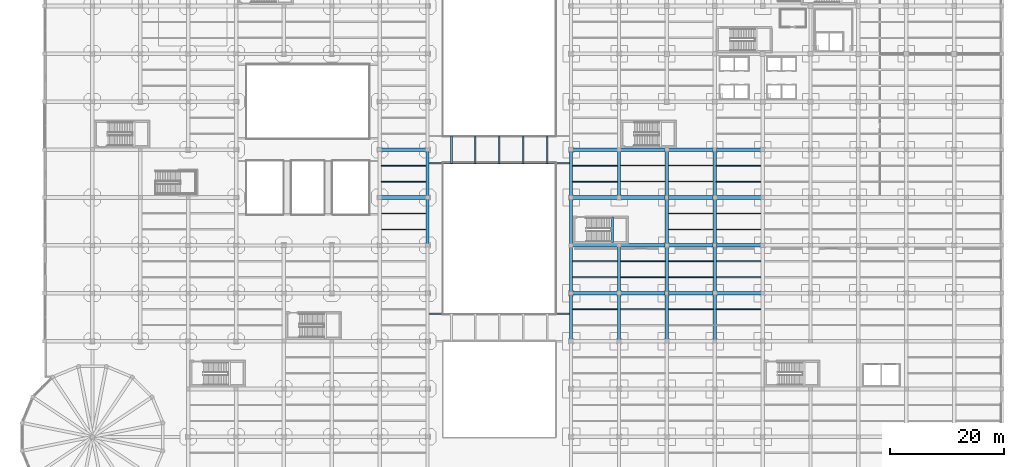
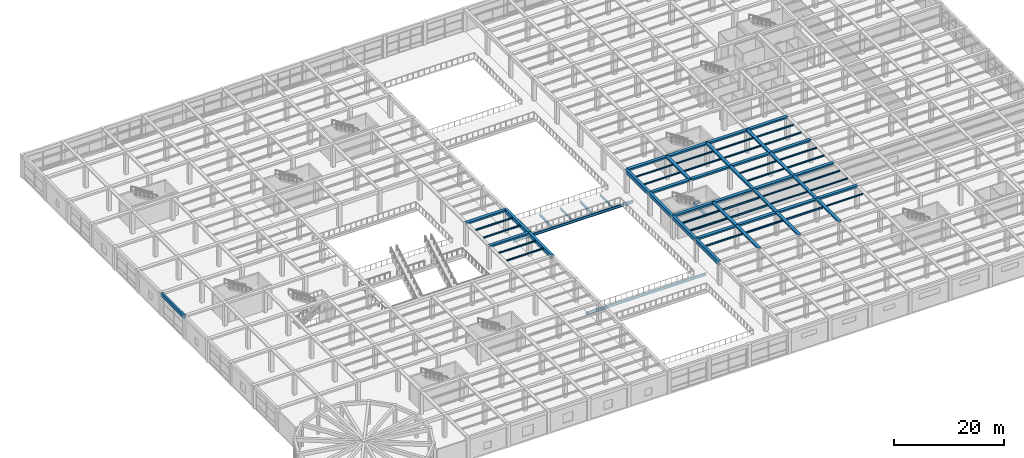
# One storey, part 28 of 95: 72 beams.
"""IFC4 building model written with IfcOpenShell, lengths in metres."""

import ifcopenshell
import ifcopenshell.guid

model = None  # the IFC model being written
_history = None  # IfcOwnerHistory: only IFC2X3 demands one
_inside = {}  # id of a spatial element -> (the spatial element, [elements in it])
_under = {}  # id of a project, library or spatial element -> (it, [spatial elements below it])
_declared = {}  # id of a project -> (the project, [libraries it declares])
_typed = {}  # id of a type object -> (the type object, [elements of that type])
_made_of = {}  # id of a material, layer set ... -> (it, [elements and type objects made of it])


def new_model(schema):
    """Start an empty IFC model of exactly this schema.

    Asked for "IFC4X3", IfcOpenShell would pick the latest addendum, in which some entities
    have other attributes; the version numbers below select the first issue.
    IFC2X3 requires an IfcOwnerHistory on every rooted entity: one is made here for all.
    """
    global model, _history
    if schema == "IFC4X3":
        model = ifcopenshell.file(schema_version=(4, 3, 0, 0))
    else:
        model = ifcopenshell.file(schema=schema)
    _inside.clear()
    _under.clear()
    _declared.clear()
    _typed.clear()
    _made_of.clear()
    _history = None
    if model.schema == "IFC2X3":
        org = make("IfcOrganization", Name="unknown")
        user = make(
            "IfcPersonAndOrganization",
            ThePerson=make("IfcPerson", FamilyName="unknown"),
            TheOrganization=org,
        )
        app = make(
            "IfcApplication",
            ApplicationDeveloper=org,
            Version="unknown",
            ApplicationFullName="unknown",
            ApplicationIdentifier="unknown",
        )
        _history = make(
            "IfcOwnerHistory",
            OwningUser=user,
            OwningApplication=app,
            ChangeAction="ADDED",
            CreationDate=0,
        )
    return model


def make(cls, **values):
    """One entity of the class cls with the attributes given. An attribute that is None is left unset."""
    return model.create_entity(
        cls, **{name: value for name, value in values.items() if value is not None}
    )


def rooted(cls, **values):
    """An entity with a GlobalId (a new one), such as an element, a storey or a relation."""
    return make(cls, GlobalId=ifcopenshell.guid.new(), OwnerHistory=_history, **values)


def si_unit(unit_type, name, prefix=None):
    """IfcSIUnit, for example si_unit("LENGTHUNIT", "METRE", prefix="MILLI")."""
    return make("IfcSIUnit", UnitType=unit_type, Prefix=prefix, Name=name)


def assignment(units):
    """IfcUnitAssignment: the units of a project."""
    return None if units is None else make("IfcUnitAssignment", Units=units)


def point(xyz):
    """IfcCartesianPoint."""
    return None if xyz is None else make("IfcCartesianPoint", Coordinates=xyz)


def direction(xyz):
    """IfcDirection."""
    return None if xyz is None else make("IfcDirection", DirectionRatios=xyz)


def frame(location, z_axis=None, x_axis=None):
    """IfcAxis2Placement3D, a coordinate frame: its origin and axes. An axis left out is left unset."""
    return make(
        "IfcAxis2Placement3D",
        Location=point(location),
        Axis=direction(z_axis),
        RefDirection=direction(x_axis),
    )


def frame_2d(location, x_axis=None):
    """IfcAxis2Placement2D, a coordinate frame in the plane: its origin and x axis."""
    return make(
        "IfcAxis2Placement2D", Location=point(location), RefDirection=direction(x_axis)
    )


def origin():
    """The frame at (0, 0, 0) with its axes left unset."""
    return frame((0.0, 0.0, 0.0))


def origin_2d():
    """The frame at (0, 0) in the plane with its x axis left unset."""
    return frame_2d((0.0, 0.0))


def place(relative_to, where):
    """IfcLocalPlacement: puts the frame where relative to a parent placement (None: the world)."""
    return make(
        "IfcLocalPlacement", PlacementRelTo=relative_to, RelativePlacement=where
    )


def context(
    kind, dimensions, precision=None, world=None, true_north=None, identifier=None
):
    """IfcGeometricRepresentationContext, for example the 3D "Model" context."""
    return make(
        "IfcGeometricRepresentationContext",
        ContextIdentifier=identifier,
        ContextType=kind,
        CoordinateSpaceDimension=dimensions,
        Precision=precision,
        WorldCoordinateSystem=world,
        TrueNorth=true_north,
    )


def subcontext(parent, identifier, kind, view, scale=None):
    """IfcGeometricRepresentationSubContext, for example "Body" below "Model"."""
    return make(
        "IfcGeometricRepresentationSubContext",
        ContextIdentifier=identifier,
        ContextType=kind,
        ParentContext=parent,
        TargetScale=scale,
        TargetView=view,
    )


def project(units=None, contexts=None):
    """IfcProject with its units and contexts."""
    return rooted(
        "IfcProject",
        Name="project",
        RepresentationContexts=contexts,
        UnitsInContext=assignment(units),
    )


def spatial(cls, under=None, at=None, **own):
    """A site, building, storey or space (cls), placed at a placement, below another one or the project."""
    s = rooted(cls, ObjectPlacement=at, **own)
    if under is not None:
        _under.setdefault(under.id(), (under, []))[1].append(s)
    return s


def profile(cls, at=None, kind="AREA", **sizes):
    """A parametric profile (cls). Its sizes go by their IFC names, for example OverallWidth=200.0."""
    return make(cls, ProfileType=kind, Position=at, **sizes)


def rectangle(**sizes):
    """IfcRectangleProfileDef."""
    return profile("IfcRectangleProfileDef", **sizes)


def i_section(**sizes):
    """IfcIShapeProfileDef."""
    return profile("IfcIShapeProfileDef", **sizes)


def extrude(swept, where, along, depth):
    """IfcExtrudedAreaSolid: the profile swept, set in the frame where, extruded along a direction by depth."""
    return make(
        "IfcExtrudedAreaSolid",
        SweptArea=swept,
        Position=where,
        ExtrudedDirection=direction(along),
        Depth=depth,
    )


def shape(context_of_items, identifier, shape_type, items):
    """IfcShapeRepresentation: the items that make up one representation, for example the "Body"."""
    return make(
        "IfcShapeRepresentation",
        ContextOfItems=context_of_items,
        RepresentationIdentifier=identifier,
        RepresentationType=shape_type,
        Items=items,
    )


def material(Name=None, Category=None):
    """IfcMaterial."""
    return make("IfcMaterial", Name=Name, Category=Category)


def material_profile(
    of_material, cross_section, Name=None, Category=None, Priority=None
):
    """IfcMaterialProfile: a cross section and its material."""
    return make(
        "IfcMaterialProfile",
        Name=Name,
        Material=of_material,
        Profile=cross_section,
        Priority=Priority,
        Category=Category,
    )


def profile_set(profiles, Name=None, composite=None):
    """IfcMaterialProfileSet."""
    return make(
        "IfcMaterialProfileSet",
        Name=Name,
        MaterialProfiles=profiles,
        CompositeProfile=composite,
    )


def made_of(thing, what):
    """Note that an element or type object is made of a material, layer set ...; save() writes the relation."""
    if what is not None:
        _made_of.setdefault(what.id(), (what, []))[1].append(thing)
    return thing


def type_object(cls, material=None, **own):
    """A type object (cls), such as IfcWallType, which elements share."""
    return made_of(rooted(cls, **own), material)


def element(
    cls,
    number,
    at=None,
    inside=None,
    cuts=None,
    type_object=None,
    material=None,
    context=None,
    identifier="Body",
    shape_type=None,
    held_by="IfcProductDefinitionShape",
    body=None,
    shapes=None,
    **own,
):
    """One element of the class cls, such as IfcWall. Its Tag is "e" and its number.

    at: its placement. inside: the storey or other place that contains it. cuts: it is an
    opening in that element (IfcRelVoidsElement). A single representation is given by context,
    identifier, shape_type and body (its items); several are given by shapes. held_by: the class
    of the entity that holds the representations. save() writes the other relations.
    """
    e = rooted(cls, Tag="e%d" % number, ObjectPlacement=at, **own)
    if body is not None:
        shapes = [shape(context, identifier, shape_type, body)]
    if shapes is not None:
        e.Representation = make(held_by, Representations=shapes)
    if inside is not None:
        _inside.setdefault(inside.id(), (inside, []))[1].append(e)
    if cuts is not None:
        rooted(
            "IfcRelVoidsElement", RelatingBuildingElement=cuts, RelatedOpeningElement=e
        )
    if type_object is not None:
        _typed.setdefault(type_object.id(), (type_object, []))[1].append(e)
    return made_of(e, material)


def aggregate(whole, parts):
    """IfcRelAggregates: a whole, such as a stair, and the parts it consists of."""
    return rooted("IfcRelAggregates", RelatingObject=whole, RelatedObjects=parts)


def save(model, path):
    """Write the relations noted so far, then the file.

    IfcRelAggregates (storeys below a building ...), IfcRelContainedInSpatialStructure (elements
    in a storey), IfcRelDefinesByType, IfcRelAssociatesMaterial and IfcRelDeclares: one each for
    every whole, place, type object, material and project.
    """
    for whole, parts in _under.values():
        aggregate(whole, parts)
    for where, things in _inside.values():
        rooted(
            "IfcRelContainedInSpatialStructure",
            RelatedElements=things,
            RelatingStructure=where,
        )
    for kind, things in _typed.values():
        rooted("IfcRelDefinesByType", RelatedObjects=things, RelatingType=kind)
    for what, things in _made_of.values():
        rooted("IfcRelAssociatesMaterial", RelatedObjects=things, RelatingMaterial=what)
    for by, libraries in _declared.values():
        rooted("IfcRelDeclares", RelatingContext=by, RelatedDefinitions=libraries)
    model.write(path)


model = new_model("IFC4")

# Units and contexts
model_context = context("Model", 3, precision=1e-05, world=origin(), true_north=direction((0.0, 1.0)))
body_context = subcontext(model_context, "Body", "Model", "MODEL_VIEW")
ifc_project = project(units=[si_unit("LENGTHUNIT", "METRE"), si_unit("AREAUNIT", "SQUARE_METRE"), si_unit("VOLUMEUNIT", "CUBIC_METRE"), si_unit("PLANEANGLEUNIT", "RADIAN"), si_unit("MASSUNIT", "GRAM", prefix="KILO")], contexts=[model_context])

# Site, building, storey
site_placement = place(None, origin())
site = spatial("IfcSite", under=ifc_project, at=site_placement, CompositionType="ELEMENT")
building_placement = place(site_placement, origin())
building = spatial("IfcBuilding", under=site, at=building_placement, Name="Almacenes y Pasaje Nevantli", CompositionType="ELEMENT")
storey_placement = place(building_placement, frame((0.0, 0.0, 11.39990234375)))
storey = spatial("IfcBuildingStorey", under=building, at=storey_placement, Name="L03", CompositionType="ELEMENT", Elevation=11.39990234375)

# Beams
ifc_material_1 = material(Name="Concrete C35/45", Category="concrete")
ifc_material_profile_1 = material_profile(ifc_material_1, rectangle(XDim=0.39990234375, YDim=0.60009765625, at=origin_2d()), Name="RC-BM-400x600")
ifc_profile_set_1 = profile_set([ifc_material_profile_1], Name="Concrete C35/45")
beam_type_1 = type_object("IfcBeamType", Name="BM-RC-400x600", PredefinedType="SPANDREL", material=ifc_profile_set_1)
beam_1_placement = place(storey_placement, frame((99.64990234375, 42.5, 2.2001953125), z_axis=(0.0, 1.0, 0.0), x_axis=(-1.0, 0.0, 0.0)))
element("IfcBeam", 1, at=beam_1_placement, inside=storey, type_object=beam_type_1, Name="L03 Stair ST-08 Half-Landing Support Beam", PredefinedType="SPANDREL", context=body_context, shape_type="SweptSolid", body=[
    extrude(rectangle(XDim=0.39990234375, YDim=0.60009765625, at=origin_2d()), origin(), (0.0, 0.0, 1.0), 4.449951171875),
])
ifc_material_2 = material(Name="Concrete C35/45", Category="concrete")
ifc_material_profile_2 = material_profile(ifc_material_2, rectangle(XDim=0.449951171875, YDim=0.699951171875, at=origin_2d()), Name="RC-BM-450x700")
ifc_profile_set_2 = profile_set([ifc_material_profile_2], Name="Concrete C35/45")
beam_type_2 = type_object("IfcBeamType", Name="BM-RC-450x700", PredefinedType="SPANDREL", material=ifc_profile_set_2)
beam_2_placement = place(storey_placement, frame((0.0, 58.800048828125, 4.75), z_axis=(0.0, 1.0, 0.0), x_axis=(-1.0, 0.0, 0.0)))
element("IfcBeam", 2, at=beam_2_placement, inside=storey, type_object=beam_type_2, Name="L03 North-South Reinforced Concrete Beam #2484", PredefinedType="SPANDREL", context=body_context, shape_type="SweptSolid", body=[
    extrude(rectangle(XDim=0.449951171875, YDim=0.699951171875, at=origin_2d()), origin(), (0.0, 0.0, 1.0), 8.39990234375),
])
ifc_material_3 = material(Name="Concrete C35/45", Category="concrete")
ifc_material_profile_3 = material_profile(ifc_material_3, rectangle(XDim=0.550048828125, YDim=0.800048828125, at=origin_2d()), Name="RC-BM-550x800")
ifc_profile_set_3 = profile_set([ifc_material_profile_3], Name="Concrete C35/45")
beam_type_3 = type_object("IfcBeamType", Name="BM-RC-550x800", PredefinedType="BEAM", material=ifc_profile_set_3)
beam_3_placement = place(storey_placement, frame((67.199951171875, 42.0, 4.7001953125), z_axis=(0.0, 1.0, 0.0), x_axis=(-1.0, 0.0, 0.0)))
element("IfcBeam", 3, at=beam_3_placement, inside=storey, type_object=beam_type_3, Name="L03 North-South Reinforced Concrete Beam #2573", PredefinedType="BEAM", context=body_context, shape_type="SweptSolid", body=[
    extrude(rectangle(XDim=0.550048828125, YDim=0.800048828125, at=origin_2d()), origin(), (0.0, 0.0, 1.0), 8.39990234375),
])
for number, where, z_axis, x_axis, name in (
    (4, (67.199951171875, 50.39990234375, 4.7001953125), (0.0, 1.0, 0.0), (-1.0, 0.0, 0.0), "L03 North-South Reinforced Concrete Beam #2574"),
    (5, (92.39990234375, 25.199951171875, 4.7001953125), (0.0, 1.0, 0.0), (-1.0, 0.0, 0.0), "L03 North-South Reinforced Concrete Beam #2585"),
):
    element("IfcBeam", number, at=place(storey_placement, frame(where, z_axis=z_axis, x_axis=x_axis)), inside=storey, type_object=beam_type_3, Name=name, PredefinedType="BEAM", context=body_context, shape_type="SweptSolid", body=[
        extrude(rectangle(XDim=0.550048828125, YDim=0.800048828125, at=origin_2d()), origin(), (0.0, 0.0, 1.0), 8.400146484375),
    ])
for number, where, z_axis, x_axis, name in (
    (6, (92.39990234375, 33.60009765625, 4.7001953125), (0.0, 1.0, 0.0), (-1.0, 0.0, 0.0), "L03 North-South Reinforced Concrete Beam #2586"),
    (7, (92.39990234375, 42.0, 4.7001953125), (0.0, 1.0, 0.0), (-1.0, 0.0, 0.0), "L03 North-South Reinforced Concrete Beam #2587"),
):
    element("IfcBeam", number, at=place(storey_placement, frame(where, z_axis=z_axis, x_axis=x_axis)), inside=storey, type_object=beam_type_3, Name=name, PredefinedType="BEAM", context=body_context, shape_type="SweptSolid", body=[
        extrude(rectangle(XDim=0.550048828125, YDim=0.800048828125, at=origin_2d()), origin(), (0.0, 0.0, 1.0), 8.39990234375),
    ])
beam_4_placement = place(storey_placement, frame((92.39990234375, 50.39990234375, 4.7001953125), z_axis=(0.0, 1.0, 0.0), x_axis=(-1.0, 0.0, 0.0)))
element("IfcBeam", 8, at=beam_4_placement, inside=storey, type_object=beam_type_3, Name="L03 North-South Reinforced Concrete Beam #2588", PredefinedType="BEAM", context=body_context, shape_type="SweptSolid", body=[
    extrude(rectangle(XDim=0.550048828125, YDim=0.800048828125, at=origin_2d()), origin(), (0.0, 0.0, 1.0), 8.400146484375),
])
ifc_material_4 = material(Name="Concrete C35/45", Category="concrete")
ifc_material_profile_4 = material_profile(ifc_material_4, rectangle(XDim=0.60009765625, YDim=0.320068359375, at=origin_2d()), Name="RC-BM-600x320")
ifc_profile_set_4 = profile_set([ifc_material_profile_4], Name="Concrete C35/45")
beam_type_4 = type_object("IfcBeamType", Name="BM-RC-600x320", PredefinedType="BEAM", material=ifc_profile_set_4)
beam_5_placement = place(storey_placement, frame((100.800048828125, 25.199951171875, 4.940185546875), z_axis=(0.0, 1.0, 0.0), x_axis=(-1.0, 0.0, 0.0)))
element("IfcBeam", 9, at=beam_5_placement, inside=storey, type_object=beam_type_4, Name="L03 North-South Reinforced Concrete Beam #2599", PredefinedType="BEAM", context=body_context, shape_type="SweptSolid", body=[
    extrude(rectangle(XDim=0.60009765625, YDim=0.320068359375, at=origin_2d()), origin(), (0.0, 0.0, 1.0), 8.400146484375),
])
beam_6_placement = place(storey_placement, frame((109.199951171875, 33.60009765625, 4.940185546875), z_axis=(0.0, 1.0, 0.0), x_axis=(-1.0, 0.0, 0.0)))
element("IfcBeam", 10, at=beam_6_placement, inside=storey, type_object=beam_type_4, Name="L03 North-South Reinforced Concrete Beam #2613", PredefinedType="BEAM", context=body_context, shape_type="SweptSolid", body=[
    extrude(rectangle(XDim=0.60009765625, YDim=0.320068359375, at=origin_2d()), origin(), (0.0, 0.0, 1.0), 8.39990234375),
])
for number, where, z_axis, x_axis, name in (
    (11, (109.199951171875, 50.39990234375, 4.940185546875), (0.0, 1.0, 0.0), (-1.0, 0.0, 0.0), "L03 North-South Reinforced Concrete Beam #2615"),
    (12, (117.60009765625, 25.199951171875, 4.940185546875), (0.0, 1.0, 0.0), (-1.0, 0.0, 0.0), "L03 North-South Reinforced Concrete Beam #2625"),
):
    element("IfcBeam", number, at=place(storey_placement, frame(where, z_axis=z_axis, x_axis=x_axis)), inside=storey, type_object=beam_type_4, Name=name, PredefinedType="BEAM", context=body_context, shape_type="SweptSolid", body=[
        extrude(rectangle(XDim=0.60009765625, YDim=0.320068359375, at=origin_2d()), origin(), (0.0, 0.0, 1.0), 8.400146484375),
    ])
beam_7_placement = place(storey_placement, frame((117.60009765625, 42.0, 4.940185546875), z_axis=(0.0, 1.0, 0.0), x_axis=(-1.0, 0.0, 0.0)))
element("IfcBeam", 13, at=beam_7_placement, inside=storey, type_object=beam_type_4, Name="L03 North-South Reinforced Concrete Beam #2627", PredefinedType="BEAM", context=body_context, shape_type="SweptSolid", body=[
    extrude(rectangle(XDim=0.60009765625, YDim=0.320068359375, at=origin_2d()), origin(), (0.0, 0.0, 1.0), 8.39990234375),
])
ifc_material_5 = material(Name="Concrete C35/45", Category="concrete")
ifc_material_profile_5 = material_profile(ifc_material_5, rectangle(XDim=0.60009765625, YDim=0.340087890625, at=origin_2d()), Name="RC-BM-600x340")
ifc_profile_set_5 = profile_set([ifc_material_profile_5], Name="Concrete C35/45")
beam_type_5 = type_object("IfcBeamType", Name="BM-RC-600x340", PredefinedType="BEAM", material=ifc_profile_set_5)
beam_8_placement = place(storey_placement, frame((100.800048828125, 33.60009765625, 4.93017578125), z_axis=(0.0, 1.0, 0.0), x_axis=(-1.0, 0.0, 0.0)))
element("IfcBeam", 14, at=beam_8_placement, inside=storey, type_object=beam_type_5, Name="L03 North-South Reinforced Concrete Beam #2600", PredefinedType="BEAM", context=body_context, shape_type="SweptSolid", body=[
    extrude(rectangle(XDim=0.60009765625, YDim=0.340087890625, at=origin_2d()), origin(), (0.0, 0.0, 1.0), 8.39990234375),
])
for number, where, z_axis, x_axis, name in (
    (15, (100.800048828125, 50.39990234375, 4.93017578125), (0.0, 1.0, 0.0), (-1.0, 0.0, 0.0), "L03 North-South Reinforced Concrete Beam #2601"),
    (16, (109.199951171875, 25.199951171875, 4.93017578125), (0.0, 1.0, 0.0), (-1.0, 0.0, 0.0), "L03 North-South Reinforced Concrete Beam #2612"),
):
    element("IfcBeam", number, at=place(storey_placement, frame(where, z_axis=z_axis, x_axis=x_axis)), inside=storey, type_object=beam_type_5, Name=name, PredefinedType="BEAM", context=body_context, shape_type="SweptSolid", body=[
        extrude(rectangle(XDim=0.60009765625, YDim=0.340087890625, at=origin_2d()), origin(), (0.0, 0.0, 1.0), 8.400146484375),
    ])
for number, where, z_axis, x_axis, name in (
    (17, (109.199951171875, 42.0, 4.93017578125), (0.0, 1.0, 0.0), (-1.0, 0.0, 0.0), "L03 North-South Reinforced Concrete Beam #2614"),
    (18, (117.60009765625, 33.60009765625, 4.93017578125), (0.0, 1.0, 0.0), (-1.0, 0.0, 0.0), "L03 North-South Reinforced Concrete Beam #2626"),
):
    element("IfcBeam", number, at=place(storey_placement, frame(where, z_axis=z_axis, x_axis=x_axis)), inside=storey, type_object=beam_type_5, Name=name, PredefinedType="BEAM", context=body_context, shape_type="SweptSolid", body=[
        extrude(rectangle(XDim=0.60009765625, YDim=0.340087890625, at=origin_2d()), origin(), (0.0, 0.0, 1.0), 8.39990234375),
    ])
beam_9_placement = place(storey_placement, frame((117.60009765625, 50.39990234375, 4.93017578125), z_axis=(0.0, 1.0, 0.0), x_axis=(-1.0, 0.0, 0.0)))
element("IfcBeam", 19, at=beam_9_placement, inside=storey, type_object=beam_type_5, Name="L03 North-South Reinforced Concrete Beam #2628", PredefinedType="BEAM", context=body_context, shape_type="SweptSolid", body=[
    extrude(rectangle(XDim=0.60009765625, YDim=0.340087890625, at=origin_2d()), origin(), (0.0, 0.0, 1.0), 8.400146484375),
])
ifc_material_6 = material(Name="Concrete C35/45", Category="concrete")
ifc_material_profile_6 = material_profile(ifc_material_6, rectangle(XDim=0.64990234375, YDim=0.35009765625, at=origin_2d()), Name="RC-BM-650x350")
ifc_profile_set_6 = profile_set([ifc_material_profile_6], Name="Concrete C35/45")
beam_type_6 = type_object("IfcBeamType", Name="BM-RC-650x350", PredefinedType="BEAM", material=ifc_profile_set_6)
for number, where, z_axis, x_axis, name in (
    (20, (92.39990234375, 33.60009765625, 4.925048828125), (1.0, 0.0, 0.0), (0.0, 1.0, 0.0), "L03 East-West Reinforced Concrete Beam #2307"),
    (21, (109.199951171875, 33.60009765625, 4.925048828125), (1.0, 0.0, 0.0), (0.0, 1.0, 0.0), "L03 East-West Reinforced Concrete Beam #2309"),
):
    element("IfcBeam", number, at=place(storey_placement, frame(where, z_axis=z_axis, x_axis=x_axis)), inside=storey, type_object=beam_type_6, Name=name, PredefinedType="BEAM", context=body_context, shape_type="SweptSolid", body=[
        extrude(rectangle(XDim=0.64990234375, YDim=0.35009765625, at=origin_2d()), origin(), (0.0, 0.0, 1.0), 8.400146484375),
    ])
for number, where, z_axis, x_axis, name in (
    (22, (100.800048828125, 42.0, 4.925048828125), (1.0, 0.0, 0.0), (0.0, 1.0, 0.0), "L03 East-West Reinforced Concrete Beam #2325"),
    (23, (117.60009765625, 42.0, 4.925048828125), (1.0, 0.0, 0.0), (0.0, 1.0, 0.0), "L03 East-West Reinforced Concrete Beam #2327"),
    (24, (58.800048828125, 50.39990234375, 4.925048828125), (1.0, 0.0, 0.0), (0.0, 1.0, 0.0), "L03 East-West Reinforced Concrete Beam #2337"),
):
    element("IfcBeam", number, at=place(storey_placement, frame(where, z_axis=z_axis, x_axis=x_axis)), inside=storey, type_object=beam_type_6, Name=name, PredefinedType="BEAM", context=body_context, shape_type="SweptSolid", body=[
        extrude(rectangle(XDim=0.64990234375, YDim=0.35009765625, at=origin_2d()), origin(), (0.0, 0.0, 1.0), 8.39990234375),
    ])
for number, where, z_axis, x_axis, name in (
    (25, (92.39990234375, 50.39990234375, 4.925048828125), (1.0, 0.0, 0.0), (0.0, 1.0, 0.0), "L03 East-West Reinforced Concrete Beam #2338"),
    (26, (109.199951171875, 50.39990234375, 4.925048828125), (1.0, 0.0, 0.0), (0.0, 1.0, 0.0), "L03 East-West Reinforced Concrete Beam #2340"),
):
    element("IfcBeam", number, at=place(storey_placement, frame(where, z_axis=z_axis, x_axis=x_axis)), inside=storey, type_object=beam_type_6, Name=name, PredefinedType="BEAM", context=body_context, shape_type="SweptSolid", body=[
        extrude(rectangle(XDim=0.64990234375, YDim=0.35009765625, at=origin_2d()), origin(), (0.0, 0.0, 1.0), 8.400146484375),
    ])
for number, where, z_axis, x_axis, name in (
    (27, (100.800048828125, 58.800048828125, 4.925048828125), (1.0, 0.0, 0.0), (0.0, 1.0, 0.0), "L03 East-West Reinforced Concrete Beam #2353"),
    (28, (117.60009765625, 58.800048828125, 4.925048828125), (1.0, 0.0, 0.0), (0.0, 1.0, 0.0), "L03 East-West Reinforced Concrete Beam #2355"),
):
    element("IfcBeam", number, at=place(storey_placement, frame(where, z_axis=z_axis, x_axis=x_axis)), inside=storey, type_object=beam_type_6, Name=name, PredefinedType="BEAM", context=body_context, shape_type="SweptSolid", body=[
        extrude(rectangle(XDim=0.64990234375, YDim=0.35009765625, at=origin_2d()), origin(), (0.0, 0.0, 1.0), 8.39990234375),
    ])
ifc_material_7 = material(Name="Concrete C35/45", Category="concrete")
ifc_material_profile_7 = material_profile(ifc_material_7, rectangle(XDim=0.64990234375, YDim=0.3798828125, at=origin_2d()), Name="RC-BM-650x380")
ifc_profile_set_7 = profile_set([ifc_material_profile_7], Name="Concrete C35/45")
beam_type_7 = type_object("IfcBeamType", Name="BM-RC-650x380", PredefinedType="BEAM", material=ifc_profile_set_7)
for number, where, z_axis, x_axis, name in (
    (29, (100.800048828125, 33.60009765625, 4.91015625), (1.0, 0.0, 0.0), (0.0, 1.0, 0.0), "L03 East-West Reinforced Concrete Beam #2308"),
    (30, (117.60009765625, 33.60009765625, 4.91015625), (1.0, 0.0, 0.0), (0.0, 1.0, 0.0), "L03 East-West Reinforced Concrete Beam #2310"),
):
    element("IfcBeam", number, at=place(storey_placement, frame(where, z_axis=z_axis, x_axis=x_axis)), inside=storey, type_object=beam_type_7, Name=name, PredefinedType="BEAM", context=body_context, shape_type="SweptSolid", body=[
        extrude(rectangle(XDim=0.64990234375, YDim=0.3798828125, at=origin_2d()), origin(), (0.0, 0.0, 1.0), 8.39990234375),
    ])
for number, where, z_axis, x_axis, name in (
    (31, (92.39990234375, 42.0, 4.91015625), (1.0, 0.0, 0.0), (0.0, 1.0, 0.0), "L03 East-West Reinforced Concrete Beam #2324"),
    (32, (109.199951171875, 42.0, 4.91015625), (1.0, 0.0, 0.0), (0.0, 1.0, 0.0), "L03 East-West Reinforced Concrete Beam #2326"),
):
    element("IfcBeam", number, at=place(storey_placement, frame(where, z_axis=z_axis, x_axis=x_axis)), inside=storey, type_object=beam_type_7, Name=name, PredefinedType="BEAM", context=body_context, shape_type="SweptSolid", body=[
        extrude(rectangle(XDim=0.64990234375, YDim=0.3798828125, at=origin_2d()), origin(), (0.0, 0.0, 1.0), 8.400146484375),
    ])
for number, where, z_axis, x_axis, name in (
    (33, (100.800048828125, 50.39990234375, 4.91015625), (1.0, 0.0, 0.0), (0.0, 1.0, 0.0), "L03 East-West Reinforced Concrete Beam #2339"),
    (34, (117.60009765625, 50.39990234375, 4.91015625), (1.0, 0.0, 0.0), (0.0, 1.0, 0.0), "L03 East-West Reinforced Concrete Beam #2341"),
    (35, (58.800048828125, 58.800048828125, 4.91015625), (1.0, 0.0, 0.0), (0.0, 1.0, 0.0), "L03 East-West Reinforced Concrete Beam #2351"),
):
    element("IfcBeam", number, at=place(storey_placement, frame(where, z_axis=z_axis, x_axis=x_axis)), inside=storey, type_object=beam_type_7, Name=name, PredefinedType="BEAM", context=body_context, shape_type="SweptSolid", body=[
        extrude(rectangle(XDim=0.64990234375, YDim=0.3798828125, at=origin_2d()), origin(), (0.0, 0.0, 1.0), 8.39990234375),
    ])
for number, where, z_axis, x_axis, name in (
    (36, (92.39990234375, 58.800048828125, 4.91015625), (1.0, 0.0, 0.0), (0.0, 1.0, 0.0), "L03 East-West Reinforced Concrete Beam #2352"),
    (37, (109.199951171875, 58.800048828125, 4.91015625), (1.0, 0.0, 0.0), (0.0, 1.0, 0.0), "L03 East-West Reinforced Concrete Beam #2354"),
):
    element("IfcBeam", number, at=place(storey_placement, frame(where, z_axis=z_axis, x_axis=x_axis)), inside=storey, type_object=beam_type_7, Name=name, PredefinedType="BEAM", context=body_context, shape_type="SweptSolid", body=[
        extrude(rectangle(XDim=0.64990234375, YDim=0.3798828125, at=origin_2d()), origin(), (0.0, 0.0, 1.0), 8.400146484375),
    ])
ifc_material_8 = material(Name="Steel ASTM A992", Category="steel")
ifc_material_profile_8 = material_profile(ifc_material_8, i_section(OverallWidth=0.1650390625, OverallDepth=0.306884765625, WebThickness=0.006591796875, FlangeThickness=0.01025390625, at=origin_2d()), Name="IR 305x44.6")
ifc_profile_set_8 = profile_set([ifc_material_profile_8], Name="Steel ASTM A992")
beam_type_8 = type_object("IfcBeamType", Name="BM-STL-IR-305x44p6", PredefinedType="JOIST", material=ifc_profile_set_8)
for number, where, z_axis, x_axis, name in (
    (38, (92.675048828125, 53.199951171875, 4.9384765625), (1.0, 0.0, 0.0), (0.0, 1.0, 0.0), "L03 Secondary Steel Floor Joist #805"),
    (39, (92.675048828125, 56.0, 4.9384765625), (1.0, 0.0, 0.0), (0.0, 1.0, 0.0), "L03 Secondary Steel Floor Joist #806"),
):
    element("IfcBeam", number, at=place(storey_placement, frame(where, z_axis=z_axis, x_axis=x_axis)), inside=storey, type_object=beam_type_8, Name=name, PredefinedType="JOIST", context=body_context, shape_type="SweptSolid", body=[
        extrude(i_section(OverallWidth=0.1650390625, OverallDepth=0.306884765625, WebThickness=0.006591796875, FlangeThickness=0.01025390625, at=origin_2d()), origin(), (0.0, 0.0, 1.0), 7.824951171875),
    ])
for number, where, z_axis, x_axis, name in (
    (40, (109.5, 36.39990234375, 4.9384765625), (1.0, 0.0, 0.0), (0.0, 1.0, 0.0), "L03 Secondary Steel Floor Joist #853"),
    (41, (109.5, 39.199951171875, 4.9384765625), (1.0, 0.0, 0.0), (0.0, 1.0, 0.0), "L03 Secondary Steel Floor Joist #854"),
    (42, (117.89990234375, 30.800048828125, 4.9384765625), (1.0, 0.0, 0.0), (0.0, 1.0, 0.0), "L03 Secondary Steel Floor Joist #878"),
):
    element("IfcBeam", number, at=place(storey_placement, frame(where, z_axis=z_axis, x_axis=x_axis)), inside=storey, type_object=beam_type_8, Name=name, PredefinedType="JOIST", context=body_context, shape_type="SweptSolid", body=[
        extrude(i_section(OverallWidth=0.1650390625, OverallDepth=0.306884765625, WebThickness=0.006591796875, FlangeThickness=0.01025390625, at=origin_2d()), origin(), (0.0, 0.0, 1.0), 7.800048828125),
    ])
ifc_material_9 = material(Name="Steel ASTM A992", Category="steel")
ifc_material_profile_9 = material_profile(ifc_material_9, i_section(OverallWidth=0.202880859375, OverallDepth=0.304931640625, WebThickness=0.007568359375, FlangeThickness=0.01318359375, at=origin_2d()), Name="IR 305x59.5")
ifc_profile_set_9 = profile_set([ifc_material_profile_9], Name="Steel ASTM A992")
beam_type_9 = type_object("IfcBeamType", Name="BM-STL-IR-305x59p5", PredefinedType="JOIST", material=ifc_profile_set_9)
for number, where, z_axis, x_axis, name in (
    (43, (101.10009765625, 53.199951171875, 4.939697265625), (1.0, 0.0, 0.0), (0.0, 1.0, 0.0), "L03 Secondary Steel Floor Joist #831"),
    (44, (101.10009765625, 56.0, 4.939697265625), (1.0, 0.0, 0.0), (0.0, 1.0, 0.0), "L03 Secondary Steel Floor Joist #832"),
):
    element("IfcBeam", number, at=place(storey_placement, frame(where, z_axis=z_axis, x_axis=x_axis)), inside=storey, type_object=beam_type_9, Name=name, PredefinedType="JOIST", context=body_context, shape_type="SweptSolid", body=[
        extrude(i_section(OverallWidth=0.202880859375, OverallDepth=0.304931640625, WebThickness=0.007568359375, FlangeThickness=0.01318359375, at=origin_2d()), origin(), (0.0, 0.0, 1.0), 7.7998046875),
    ])
for number, where, z_axis, x_axis, name in (
    (45, (109.5, 44.800048828125, 4.939697265625), (1.0, 0.0, 0.0), (0.0, 1.0, 0.0), "L03 Secondary Steel Floor Joist #855"),
    (46, (109.5, 47.60009765625, 4.939697265625), (1.0, 0.0, 0.0), (0.0, 1.0, 0.0), "L03 Secondary Steel Floor Joist #856"),
    (47, (117.89990234375, 36.39990234375, 4.939697265625), (1.0, 0.0, 0.0), (0.0, 1.0, 0.0), "L03 Secondary Steel Floor Joist #879"),
    (48, (117.89990234375, 39.199951171875, 4.939697265625), (1.0, 0.0, 0.0), (0.0, 1.0, 0.0), "L03 Secondary Steel Floor Joist #880"),
):
    element("IfcBeam", number, at=place(storey_placement, frame(where, z_axis=z_axis, x_axis=x_axis)), inside=storey, type_object=beam_type_9, Name=name, PredefinedType="JOIST", context=body_context, shape_type="SweptSolid", body=[
        extrude(i_section(OverallWidth=0.202880859375, OverallDepth=0.304931640625, WebThickness=0.007568359375, FlangeThickness=0.01318359375, at=origin_2d()), origin(), (0.0, 0.0, 1.0), 7.800048828125),
    ])
ifc_material_10 = material(Name="Steel ASTM A992", Category="steel")
ifc_material_profile_10 = material_profile(ifc_material_10, i_section(OverallWidth=0.205078125, OverallDepth=0.31005859375, WebThickness=0.009521484375, FlangeThickness=0.016357421875, at=origin_2d()), Name="IR 305x74.4")
ifc_profile_set_10 = profile_set([ifc_material_profile_10], Name="Steel ASTM A992")
beam_type_10 = type_object("IfcBeamType", Name="BM-STL-IR-305x74p4", PredefinedType="JOIST", material=ifc_profile_set_10)
for number, where, z_axis, x_axis, name in (
    (49, (59.10009765625, 44.800048828125, 4.93701171875), (1.0, 0.0, 0.0), (0.0, 1.0, 0.0), "L03 Secondary Steel Floor Joist #779"),
    (50, (59.10009765625, 47.60009765625, 4.93701171875), (1.0, 0.0, 0.0), (0.0, 1.0, 0.0), "L03 Secondary Steel Floor Joist #780"),
):
    element("IfcBeam", number, at=place(storey_placement, frame(where, z_axis=z_axis, x_axis=x_axis)), inside=storey, type_object=beam_type_10, Name=name, PredefinedType="JOIST", context=body_context, shape_type="SweptSolid", body=[
        extrude(i_section(OverallWidth=0.205078125, OverallDepth=0.31005859375, WebThickness=0.009521484375, FlangeThickness=0.016357421875, at=origin_2d()), origin(), (0.0, 0.0, 1.0), 7.824951171875),
    ])
for number, where, z_axis, x_axis, name in (
    (51, (109.5, 53.199951171875, 4.93701171875), (1.0, 0.0, 0.0), (0.0, 1.0, 0.0), "L03 Secondary Steel Floor Joist #857"),
    (52, (109.5, 56.0, 4.93701171875), (1.0, 0.0, 0.0), (0.0, 1.0, 0.0), "L03 Secondary Steel Floor Joist #858"),
    (53, (117.89990234375, 44.800048828125, 4.93701171875), (1.0, 0.0, 0.0), (0.0, 1.0, 0.0), "L03 Secondary Steel Floor Joist #881"),
    (54, (117.89990234375, 47.60009765625, 4.93701171875), (1.0, 0.0, 0.0), (0.0, 1.0, 0.0), "L03 Secondary Steel Floor Joist #882"),
):
    element("IfcBeam", number, at=place(storey_placement, frame(where, z_axis=z_axis, x_axis=x_axis)), inside=storey, type_object=beam_type_10, Name=name, PredefinedType="JOIST", context=body_context, shape_type="SweptSolid", body=[
        extrude(i_section(OverallWidth=0.205078125, OverallDepth=0.31005859375, WebThickness=0.009521484375, FlangeThickness=0.016357421875, at=origin_2d()), origin(), (0.0, 0.0, 1.0), 7.800048828125),
    ])
ifc_material_11 = material(Name="Steel ASTM A992", Category="steel")
ifc_material_profile_11 = material_profile(ifc_material_11, i_section(OverallWidth=0.173095703125, OverallDepth=0.35302734375, WebThickness=0.0078125, FlangeThickness=0.01318359375, at=origin_2d()), Name="IR 356x56.6")
ifc_profile_set_11 = profile_set([ifc_material_profile_11], Name="Steel ASTM A992")
beam_type_11 = type_object("IfcBeamType", Name="BM-STL-IR-356x56p6", PredefinedType="JOIST", material=ifc_profile_set_11)
for number, where, z_axis, x_axis, name in (
    (55, (59.10009765625, 53.199951171875, 4.91552734375), (1.0, 0.0, 0.0), (0.0, 1.0, 0.0), "L03 Secondary Steel Floor Joist #781"),
    (56, (59.10009765625, 56.0, 4.91552734375), (1.0, 0.0, 0.0), (0.0, 1.0, 0.0), "L03 Secondary Steel Floor Joist #782"),
):
    element("IfcBeam", number, at=place(storey_placement, frame(where, z_axis=z_axis, x_axis=x_axis)), inside=storey, type_object=beam_type_11, Name=name, PredefinedType="JOIST", context=body_context, shape_type="SweptSolid", body=[
        extrude(i_section(OverallWidth=0.173095703125, OverallDepth=0.35302734375, WebThickness=0.0078125, FlangeThickness=0.01318359375, at=origin_2d()), origin(), (0.0, 0.0, 1.0), 7.824951171875),
    ])
for number, where, z_axis, x_axis, name in (
    (57, (117.89990234375, 53.199951171875, 4.91552734375), (1.0, 0.0, 0.0), (0.0, 1.0, 0.0), "L03 Secondary Steel Floor Joist #883"),
    (58, (117.89990234375, 56.0, 4.91552734375), (1.0, 0.0, 0.0), (0.0, 1.0, 0.0), "L03 Secondary Steel Floor Joist #884"),
):
    element("IfcBeam", number, at=place(storey_placement, frame(where, z_axis=z_axis, x_axis=x_axis)), inside=storey, type_object=beam_type_11, Name=name, PredefinedType="JOIST", context=body_context, shape_type="SweptSolid", body=[
        extrude(i_section(OverallWidth=0.173095703125, OverallDepth=0.35302734375, WebThickness=0.0078125, FlangeThickness=0.01318359375, at=origin_2d()), origin(), (0.0, 0.0, 1.0), 7.800048828125),
    ])
ifc_material_12 = material(Name="Steel ASTM A992", Category="steel")
ifc_material_profile_12 = material_profile(ifc_material_12, i_section(OverallWidth=0.173095703125, OverallDepth=0.364013671875, WebThickness=0.009033203125, FlangeThickness=0.015625, at=origin_2d()), Name="IR 356x67.0")
ifc_profile_set_12 = profile_set([ifc_material_profile_12], Name="Steel ASTM A992")
beam_type_12 = type_object("IfcBeamType", Name="BM-STL-IR-356x67p0", PredefinedType="JOIST", material=ifc_profile_set_12)
beam_10_placement = place(storey_placement, frame((92.675048828125, 30.800048828125, 4.91015625), z_axis=(1.0, 0.0, 0.0), x_axis=(0.0, 1.0, 0.0)))
element("IfcBeam", 59, at=beam_10_placement, inside=storey, type_object=beam_type_12, Name="L03 Secondary Steel Floor Joist #802", PredefinedType="JOIST", context=body_context, shape_type="SweptSolid", body=[
    extrude(i_section(OverallWidth=0.173095703125, OverallDepth=0.364013671875, WebThickness=0.009033203125, FlangeThickness=0.015625, at=origin_2d()), origin(), (0.0, 0.0, 1.0), 7.824951171875),
])
ifc_material_13 = material(Name="Steel ASTM A992", Category="steel")
ifc_material_profile_13 = material_profile(ifc_material_13, i_section(OverallWidth=0.25390625, OverallDepth=0.35595703125, WebThickness=0.009521484375, FlangeThickness=0.016357421875, at=origin_2d()), Name="IR 356x79.0")
ifc_profile_set_13 = profile_set([ifc_material_profile_13], Name="Steel ASTM A992")
beam_type_13 = type_object("IfcBeamType", Name="BM-STL-IR-356x79p0", PredefinedType="JOIST", material=ifc_profile_set_13)
for number, where, z_axis, x_axis, name in (
    (60, (92.675048828125, 36.39990234375, 4.9140625), (1.0, 0.0, 0.0), (0.0, 1.0, 0.0), "L03 Secondary Steel Floor Joist #803"),
    (61, (92.675048828125, 39.199951171875, 4.9140625), (1.0, 0.0, 0.0), (0.0, 1.0, 0.0), "L03 Secondary Steel Floor Joist #804"),
):
    element("IfcBeam", number, at=place(storey_placement, frame(where, z_axis=z_axis, x_axis=x_axis)), inside=storey, type_object=beam_type_13, Name=name, PredefinedType="JOIST", context=body_context, shape_type="SweptSolid", body=[
        extrude(i_section(OverallWidth=0.25390625, OverallDepth=0.35595703125, WebThickness=0.009521484375, FlangeThickness=0.016357421875, at=origin_2d()), origin(), (0.0, 0.0, 1.0), 7.824951171875),
    ])
beam_11_placement = place(storey_placement, frame((101.10009765625, 30.800048828125, 4.9140625), z_axis=(1.0, 0.0, 0.0), x_axis=(0.0, 1.0, 0.0)))
element("IfcBeam", 62, at=beam_11_placement, inside=storey, type_object=beam_type_13, Name="L03 Secondary Steel Floor Joist #828", PredefinedType="JOIST", context=body_context, shape_type="SweptSolid", body=[
    extrude(i_section(OverallWidth=0.25390625, OverallDepth=0.35595703125, WebThickness=0.009521484375, FlangeThickness=0.016357421875, at=origin_2d()), origin(), (0.0, 0.0, 1.0), 7.7998046875),
])
ifc_material_14 = material(Name="Steel ASTM A992", Category="steel")
ifc_material_profile_14 = material_profile(ifc_material_14, i_section(OverallWidth=0.178955078125, OverallDepth=0.406005859375, WebThickness=0.0087890625, FlangeThickness=0.014404296875, at=origin_2d()), Name="IR 406x67.0")
ifc_profile_set_14 = profile_set([ifc_material_profile_14], Name="Steel ASTM A992")
beam_type_14 = type_object("IfcBeamType", Name="BM-STL-IR-406x67p0", PredefinedType="JOIST", material=ifc_profile_set_14)
for number, where, z_axis, x_axis, name in (
    (63, (101.10009765625, 36.39990234375, 4.88916015625), (1.0, 0.0, 0.0), (0.0, 1.0, 0.0), "L03 Secondary Steel Floor Joist #829"),
    (64, (101.10009765625, 39.199951171875, 4.88916015625), (1.0, 0.0, 0.0), (0.0, 1.0, 0.0), "L03 Secondary Steel Floor Joist #830"),
):
    element("IfcBeam", number, at=place(storey_placement, frame(where, z_axis=z_axis, x_axis=x_axis)), inside=storey, type_object=beam_type_14, Name=name, PredefinedType="JOIST", context=body_context, shape_type="SweptSolid", body=[
        extrude(i_section(OverallWidth=0.178955078125, OverallDepth=0.406005859375, WebThickness=0.0087890625, FlangeThickness=0.014404296875, at=origin_2d()), origin(), (0.0, 0.0, 1.0), 7.7998046875),
    ])
beam_12_placement = place(storey_placement, frame((109.5, 30.800048828125, 4.88916015625), z_axis=(1.0, 0.0, 0.0), x_axis=(0.0, 1.0, 0.0)))
element("IfcBeam", 65, at=beam_12_placement, inside=storey, type_object=beam_type_14, Name="L03 Secondary Steel Floor Joist #852", PredefinedType="JOIST", context=body_context, shape_type="SweptSolid", body=[
    extrude(i_section(OverallWidth=0.178955078125, OverallDepth=0.406005859375, WebThickness=0.0087890625, FlangeThickness=0.014404296875, at=origin_2d()), origin(), (0.0, 0.0, 1.0), 7.800048828125),
])
ifc_material_15 = material(Name="Steel ASTM A992", Category="steel")
ifc_material_profile_15 = material_profile(ifc_material_15, i_section(OverallWidth=0.280029296875, OverallDepth=0.462890625, WebThickness=0.0107421875, FlangeThickness=0.017333984375, at=origin_2d()), Name="IR 457x113.0")
ifc_profile_set_15 = profile_set([ifc_material_profile_15], Name="Steel ASTM A992")
beam_type_15 = type_object("IfcBeamType", Name="BM-STL-IR-457x113p0", PredefinedType="BEAM", material=ifc_profile_set_15)
for number, where, z_axis, x_axis, name in (
    (66, (71.39990234375, 56.39990234375, -0.539306640625), (0.0, 1.0, 0.0), (-1.0, 0.0, 0.0), "L03 Arcade Gallery Bridge Cross Beam #31"),
    (67, (75.60009765625, 56.39990234375, -0.539306640625), (0.0, 1.0, 0.0), (-1.0, 0.0, 0.0), "L03 Arcade Gallery Bridge Cross Beam #32"),
    (68, (79.800048828125, 56.39990234375, -0.539306640625), (0.0, 1.0, 0.0), (-1.0, 0.0, 0.0), "L03 Arcade Gallery Bridge Cross Beam #33"),
    (69, (84.0, 56.39990234375, -0.539306640625), (0.0, 1.0, 0.0), (-1.0, 0.0, 0.0), "L03 Arcade Gallery Bridge Cross Beam #34"),
    (70, (88.199951171875, 56.39990234375, -0.539306640625), (0.0, 1.0, 0.0), (-1.0, 0.0, 0.0), "L03 Arcade Gallery Bridge Cross Beam #35"),
):
    element("IfcBeam", number, at=place(storey_placement, frame(where, z_axis=z_axis, x_axis=x_axis)), inside=storey, type_object=beam_type_15, Name=name, PredefinedType="BEAM", context=body_context, shape_type="SweptSolid", body=[
        extrude(i_section(OverallWidth=0.280029296875, OverallDepth=0.462890625, WebThickness=0.0107421875, FlangeThickness=0.017333984375, at=origin_2d()), origin(), (0.0, 0.0, 1.0), 4.800048828125),
    ])
ifc_material_16 = material(Name="Steel ASTM A992", Category="steel")
ifc_material_profile_16 = material_profile(ifc_material_16, i_section(OverallWidth=0.22802734375, OverallDepth=0.60693359375, WebThickness=0.01123046875, FlangeThickness=0.017333984375, at=origin_2d()), Name="IR 610x113.0")
ifc_profile_set_16 = profile_set([ifc_material_profile_16], Name="Steel ASTM A992")
beam_type_16 = type_object("IfcBeamType", Name="BM-STL-IR-610x113p0", PredefinedType="BEAM", material=ifc_profile_set_16)
beam_13_placement = place(storey_placement, frame((67.199951171875, 30.0, -0.611328125), z_axis=(1.0, 0.0, 0.0), x_axis=(0.0, 1.0, 0.0)))
element("IfcBeam", 71, at=beam_13_placement, inside=storey, type_object=beam_type_16, Name="L03 Arcade Gallery Bridge Steel Girder BRG-ARC-1.2", PredefinedType="BEAM", context=body_context, shape_type="SweptSolid", body=[
    extrude(i_section(OverallWidth=0.22802734375, OverallDepth=0.60693359375, WebThickness=0.01123046875, FlangeThickness=0.017333984375, at=origin_2d()), origin(), (0.0, 0.0, 1.0), 25.199951171875),
])
ifc_material_17 = material(Name="Steel ASTM A992", Category="steel")
ifc_material_profile_17 = material_profile(ifc_material_17, i_section(OverallWidth=0.22900390625, OverallDepth=0.612060546875, WebThickness=0.011962890625, FlangeThickness=0.01953125, at=origin_2d()), Name="IR 610x125.0")
ifc_profile_set_17 = profile_set([ifc_material_profile_17], Name="Steel ASTM A992")
beam_type_17 = type_object("IfcBeamType", Name="BM-STL-IR-610x125p0", PredefinedType="BEAM", material=ifc_profile_set_17)
beam_14_placement = place(storey_placement, frame((67.199951171875, 56.39990234375, -0.614013671875), z_axis=(1.0, 0.0, 0.0), x_axis=(0.0, 1.0, 0.0)))
element("IfcBeam", 72, at=beam_14_placement, inside=storey, type_object=beam_type_17, Name="L03 Arcade Gallery Bridge Steel Girder BRG-ARC-2.1", PredefinedType="BEAM", context=body_context, shape_type="SweptSolid", body=[
    extrude(i_section(OverallWidth=0.22900390625, OverallDepth=0.612060546875, WebThickness=0.011962890625, FlangeThickness=0.01953125, at=origin_2d()), origin(), (0.0, 0.0, 1.0), 25.199951171875),
])

save(model, "model.ifc")
